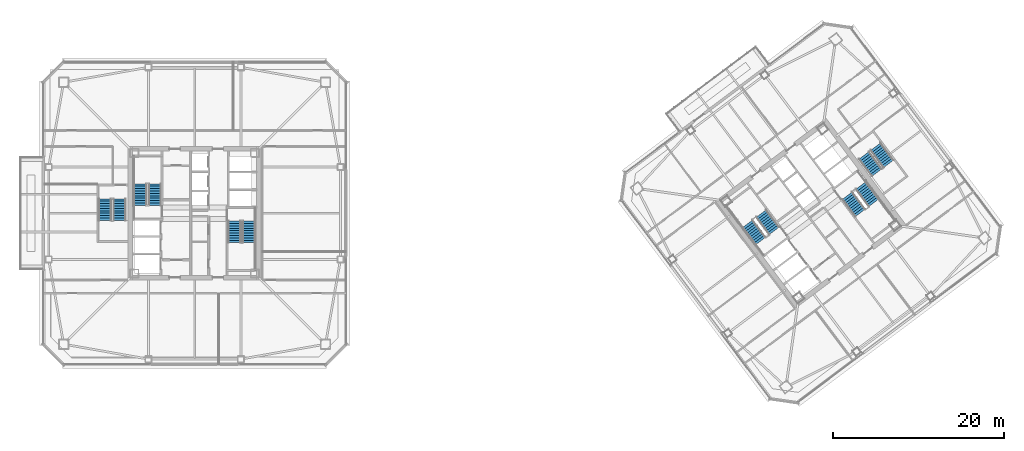
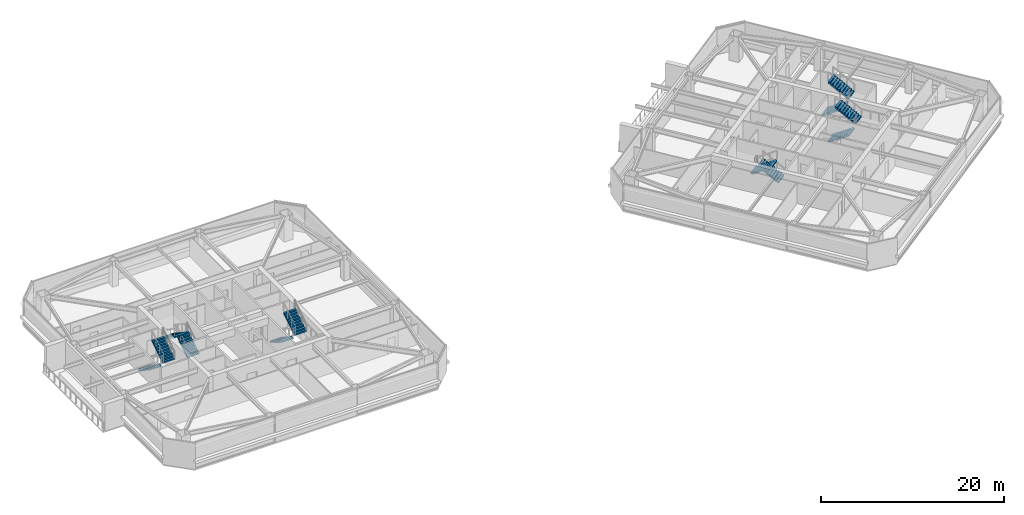
# One storey, part 35 of 41: 12 stair flights, 6 elements without a shape of their own.
"""IFC4 building model written with IfcOpenShell, lengths in metres."""

import ifcopenshell
import ifcopenshell.guid

model = None  # the IFC model being written
_history = None  # IfcOwnerHistory: only IFC2X3 demands one
_inside = {}  # id of a spatial element -> (the spatial element, [elements in it])
_under = {}  # id of a project, library or spatial element -> (it, [spatial elements below it])
_declared = {}  # id of a project -> (the project, [libraries it declares])
_typed = {}  # id of a type object -> (the type object, [elements of that type])
_made_of = {}  # id of a material, layer set ... -> (it, [elements and type objects made of it])


def new_model(schema):
    """Start an empty IFC model of exactly this schema.

    Asked for "IFC4X3", IfcOpenShell would pick the latest addendum, in which some entities
    have other attributes; the version numbers below select the first issue.
    IFC2X3 requires an IfcOwnerHistory on every rooted entity: one is made here for all.
    """
    global model, _history
    if schema == "IFC4X3":
        model = ifcopenshell.file(schema_version=(4, 3, 0, 0))
    else:
        model = ifcopenshell.file(schema=schema)
    _inside.clear()
    _under.clear()
    _declared.clear()
    _typed.clear()
    _made_of.clear()
    _history = None
    if model.schema == "IFC2X3":
        org = make("IfcOrganization", Name="unknown")
        user = make(
            "IfcPersonAndOrganization",
            ThePerson=make("IfcPerson", FamilyName="unknown"),
            TheOrganization=org,
        )
        app = make(
            "IfcApplication",
            ApplicationDeveloper=org,
            Version="unknown",
            ApplicationFullName="unknown",
            ApplicationIdentifier="unknown",
        )
        _history = make(
            "IfcOwnerHistory",
            OwningUser=user,
            OwningApplication=app,
            ChangeAction="ADDED",
            CreationDate=0,
        )
    return model


def make(cls, **values):
    """One entity of the class cls with the attributes given. An attribute that is None is left unset."""
    return model.create_entity(
        cls, **{name: value for name, value in values.items() if value is not None}
    )


def rooted(cls, **values):
    """An entity with a GlobalId (a new one), such as an element, a storey or a relation."""
    return make(cls, GlobalId=ifcopenshell.guid.new(), OwnerHistory=_history, **values)


def si_unit(unit_type, name, prefix=None):
    """IfcSIUnit, for example si_unit("LENGTHUNIT", "METRE", prefix="MILLI")."""
    return make("IfcSIUnit", UnitType=unit_type, Prefix=prefix, Name=name)


def assignment(units):
    """IfcUnitAssignment: the units of a project."""
    return None if units is None else make("IfcUnitAssignment", Units=units)


def point(xyz):
    """IfcCartesianPoint."""
    return None if xyz is None else make("IfcCartesianPoint", Coordinates=xyz)


def direction(xyz):
    """IfcDirection."""
    return None if xyz is None else make("IfcDirection", DirectionRatios=xyz)


def frame(location, z_axis=None, x_axis=None):
    """IfcAxis2Placement3D, a coordinate frame: its origin and axes. An axis left out is left unset."""
    return make(
        "IfcAxis2Placement3D",
        Location=point(location),
        Axis=direction(z_axis),
        RefDirection=direction(x_axis),
    )


def origin():
    """The frame at (0, 0, 0) with its axes left unset."""
    return frame((0.0, 0.0, 0.0))


def place(relative_to, where):
    """IfcLocalPlacement: puts the frame where relative to a parent placement (None: the world)."""
    return make(
        "IfcLocalPlacement", PlacementRelTo=relative_to, RelativePlacement=where
    )


def context(
    kind, dimensions, precision=None, world=None, true_north=None, identifier=None
):
    """IfcGeometricRepresentationContext, for example the 3D "Model" context."""
    return make(
        "IfcGeometricRepresentationContext",
        ContextIdentifier=identifier,
        ContextType=kind,
        CoordinateSpaceDimension=dimensions,
        Precision=precision,
        WorldCoordinateSystem=world,
        TrueNorth=true_north,
    )


def subcontext(parent, identifier, kind, view, scale=None):
    """IfcGeometricRepresentationSubContext, for example "Body" below "Model"."""
    return make(
        "IfcGeometricRepresentationSubContext",
        ContextIdentifier=identifier,
        ContextType=kind,
        ParentContext=parent,
        TargetScale=scale,
        TargetView=view,
    )


def project(units=None, contexts=None):
    """IfcProject with its units and contexts."""
    return rooted(
        "IfcProject",
        Name="project",
        RepresentationContexts=contexts,
        UnitsInContext=assignment(units),
    )


def spatial(cls, under=None, at=None, **own):
    """A site, building, storey or space (cls), placed at a placement, below another one or the project."""
    s = rooted(cls, ObjectPlacement=at, **own)
    if under is not None:
        _under.setdefault(under.id(), (under, []))[1].append(s)
    return s


def polyline(points):
    """IfcPolyline through the points."""
    return make("IfcPolyline", Points=[point(p) for p in points])


def outline(outer, holes=None, kind="AREA"):
    """IfcArbitraryClosedProfileDef: a profile drawn as a closed curve; with holes, ...WithVoids."""
    if holes is None:
        return make("IfcArbitraryClosedProfileDef", ProfileType=kind, OuterCurve=outer)
    return make(
        "IfcArbitraryProfileDefWithVoids",
        ProfileType=kind,
        OuterCurve=outer,
        InnerCurves=holes,
    )


def extrude(swept, where, along, depth):
    """IfcExtrudedAreaSolid: the profile swept, set in the frame where, extruded along a direction by depth."""
    return make(
        "IfcExtrudedAreaSolid",
        SweptArea=swept,
        Position=where,
        ExtrudedDirection=direction(along),
        Depth=depth,
    )


def shape(context_of_items, identifier, shape_type, items):
    """IfcShapeRepresentation: the items that make up one representation, for example the "Body"."""
    return make(
        "IfcShapeRepresentation",
        ContextOfItems=context_of_items,
        RepresentationIdentifier=identifier,
        RepresentationType=shape_type,
        Items=items,
    )


def material(Name=None, Category=None):
    """IfcMaterial."""
    return make("IfcMaterial", Name=Name, Category=Category)


def made_of(thing, what):
    """Note that an element or type object is made of a material, layer set ...; save() writes the relation."""
    if what is not None:
        _made_of.setdefault(what.id(), (what, []))[1].append(thing)
    return thing


def type_object(cls, material=None, **own):
    """A type object (cls), such as IfcWallType, which elements share."""
    return made_of(rooted(cls, **own), material)


def element(
    cls,
    number,
    at=None,
    inside=None,
    cuts=None,
    type_object=None,
    material=None,
    context=None,
    identifier="Body",
    shape_type=None,
    held_by="IfcProductDefinitionShape",
    body=None,
    shapes=None,
    **own,
):
    """One element of the class cls, such as IfcWall. Its Tag is "e" and its number.

    at: its placement. inside: the storey or other place that contains it. cuts: it is an
    opening in that element (IfcRelVoidsElement). A single representation is given by context,
    identifier, shape_type and body (its items); several are given by shapes. held_by: the class
    of the entity that holds the representations. save() writes the other relations.
    """
    e = rooted(cls, Tag="e%d" % number, ObjectPlacement=at, **own)
    if body is not None:
        shapes = [shape(context, identifier, shape_type, body)]
    if shapes is not None:
        e.Representation = make(held_by, Representations=shapes)
    if inside is not None:
        _inside.setdefault(inside.id(), (inside, []))[1].append(e)
    if cuts is not None:
        rooted(
            "IfcRelVoidsElement", RelatingBuildingElement=cuts, RelatedOpeningElement=e
        )
    if type_object is not None:
        _typed.setdefault(type_object.id(), (type_object, []))[1].append(e)
    return made_of(e, material)


def aggregate(whole, parts):
    """IfcRelAggregates: a whole, such as a stair, and the parts it consists of."""
    return rooted("IfcRelAggregates", RelatingObject=whole, RelatedObjects=parts)


def save(model, path):
    """Write the relations noted so far, then the file.

    IfcRelAggregates (storeys below a building ...), IfcRelContainedInSpatialStructure (elements
    in a storey), IfcRelDefinesByType, IfcRelAssociatesMaterial and IfcRelDeclares: one each for
    every whole, place, type object, material and project.
    """
    for whole, parts in _under.values():
        aggregate(whole, parts)
    for where, things in _inside.values():
        rooted(
            "IfcRelContainedInSpatialStructure",
            RelatedElements=things,
            RelatingStructure=where,
        )
    for kind, things in _typed.values():
        rooted("IfcRelDefinesByType", RelatedObjects=things, RelatingType=kind)
    for what, things in _made_of.values():
        rooted("IfcRelAssociatesMaterial", RelatedObjects=things, RelatingMaterial=what)
    for by, libraries in _declared.values():
        rooted("IfcRelDeclares", RelatingContext=by, RelatedDefinitions=libraries)
    model.write(path)


model = new_model("IFC4")

# Units and contexts
model_context = context("Model", 3, precision=1e-05, world=origin(), true_north=direction((0.0, 1.0)))
body_context = subcontext(model_context, "Body", "Model", "MODEL_VIEW")
ifc_project = project(units=[si_unit("LENGTHUNIT", "METRE"), si_unit("AREAUNIT", "SQUARE_METRE"), si_unit("VOLUMEUNIT", "CUBIC_METRE"), si_unit("PLANEANGLEUNIT", "RADIAN"), si_unit("MASSUNIT", "GRAM", prefix="KILO")], contexts=[model_context])

# Site, building, storey
site_placement = place(None, origin())
site = spatial("IfcSite", under=ifc_project, at=site_placement, CompositionType="ELEMENT")
building_placement = place(site_placement, origin())
building = spatial("IfcBuilding", under=site, at=building_placement, Name="Tashvorn Skyway Center", CompositionType="ELEMENT")
storey_placement = place(building_placement, frame((0.0, 0.0, 192.5)))
storey = spatial("IfcBuildingStorey", under=building, at=storey_placement, Name="L52", CompositionType="ELEMENT", Elevation=192.5)

# Stair, stair flights
ifc_material = material(Name="Concrete C40/50", Category="concrete")
stair_type = type_object("IfcStairType", Name="STAIR-CORE-1500", PredefinedType="HALF_TURN_STAIR", material=ifc_material)
stair_1_placement = place(storey_placement, origin())
stair_1 = element("IfcStair", 1, at=stair_1_placement, inside=storey, type_object=stair_type, Name="L52 Tower 1 Exit Stair 1", PredefinedType="HALF_TURN_STAIR")
stair_flight_type = type_object("IfcStairFlightType", Name="SFLIGHT-1500", PredefinedType="STRAIGHT", material=ifc_material)
stair_flight_1_placement = place(storey_placement, frame((37.35009765625, 32.919921875, 0.0), z_axis=(0.0, 0.0, 1.0), x_axis=(0.0, 1.0, 0.0)))
stair_flight_1 = element("IfcStairFlight", 2, at=stair_flight_1_placement, type_object=stair_flight_type, Name="ST-T1-1 flight 1", NumberOfRisers=10, NumberOfTreads=9, PredefinedType="STRAIGHT", RiserHeight=0.1775, TreadLength=0.28, context=body_context, shape_type="SweptSolid", body=[
    extrude(outline(polyline([(0.0, 0.0), (0.0, 0.177490234375), (0.280029296875, 0.177490234375), (0.280029296875, 0.35498046875), (0.56005859375, 0.35498046875), (0.56005859375, 0.532470703125), (0.840087890625, 0.532470703125), (0.840087890625, 0.7099609375), (1.1201171875, 0.7099609375), (1.1201171875, 0.887451171875), (1.39990234375, 0.887451171875), (1.39990234375, 1.06494140625), (1.679931640625, 1.06494140625), (1.679931640625, 1.242431640625), (1.9599609375, 1.242431640625), (1.9599609375, 1.419921875), (2.239990234375, 1.419921875), (2.239990234375, 1.597412109375), (2.52001953125, 1.597412109375), (2.52001953125, 1.77490234375), (2.52001953125, 1.419921875), (0.280029296875, 0.0), (0.0, 0.0)])), frame((0.0, 0.75, 0.0), z_axis=(0.0, -1.0, 0.0), x_axis=(1.0, 0.0, 0.0)), (0.0, 0.0, 1.0), 1.5),
])
stair_flight_2_placement = place(storey_placement, frame((35.64990234375, 35.43994140625, 1.77490234375), z_axis=(0.0, 0.0, 1.0), x_axis=(0.0, -1.0, 0.0)))
stair_flight_2 = element("IfcStairFlight", 3, at=stair_flight_2_placement, type_object=stair_flight_type, Name="ST-T1-1 flight 2", NumberOfRisers=10, NumberOfTreads=9, PredefinedType="STRAIGHT", RiserHeight=0.1775, TreadLength=0.28, context=body_context, shape_type="SweptSolid", body=[
    extrude(outline(polyline([(0.0, 0.0), (0.0, 0.177490234375), (0.280029296875, 0.177490234375), (0.280029296875, 0.35498046875), (0.56005859375, 0.35498046875), (0.56005859375, 0.532470703125), (0.840087890625, 0.532470703125), (0.840087890625, 0.7099609375), (1.1201171875, 0.7099609375), (1.1201171875, 0.887451171875), (1.39990234375, 0.887451171875), (1.39990234375, 1.06494140625), (1.679931640625, 1.06494140625), (1.679931640625, 1.242431640625), (1.9599609375, 1.242431640625), (1.9599609375, 1.419921875), (2.239990234375, 1.419921875), (2.239990234375, 1.597412109375), (2.52001953125, 1.597412109375), (2.52001953125, 1.77490234375), (2.52001953125, 1.419921875), (0.280029296875, 0.0), (0.0, 0.0)])), frame((0.0, 0.75, 0.0), z_axis=(0.0, -1.0, 0.0), x_axis=(1.0, 0.0, 0.0)), (0.0, 0.0, 1.0), 1.5),
])
aggregate(stair_1, [stair_flight_1, stair_flight_2])

stair_2_placement = place(storey_placement, origin())
stair_2 = element("IfcStair", 4, at=stair_2_placement, inside=storey, type_object=stair_type, Name="L52 Tower 1 Exit Stair 2", PredefinedType="HALF_TURN_STAIR")
stair_flight_3_placement = place(storey_placement, frame((46.64990234375, 31.080078125, 0.0), z_axis=(0.0, 0.0, 1.0), x_axis=(0.0, -1.0, 0.0)))
stair_flight_3 = element("IfcStairFlight", 5, at=stair_flight_3_placement, type_object=stair_flight_type, Name="ST-T1-2 flight 1", NumberOfRisers=10, NumberOfTreads=9, PredefinedType="STRAIGHT", RiserHeight=0.1775, TreadLength=0.28, context=body_context, shape_type="SweptSolid", body=[
    extrude(outline(polyline([(0.0, 0.0), (0.0, 0.177490234375), (0.280029296875, 0.177490234375), (0.280029296875, 0.35498046875), (0.56005859375, 0.35498046875), (0.56005859375, 0.532470703125), (0.840087890625, 0.532470703125), (0.840087890625, 0.7099609375), (1.1201171875, 0.7099609375), (1.1201171875, 0.887451171875), (1.39990234375, 0.887451171875), (1.39990234375, 1.06494140625), (1.679931640625, 1.06494140625), (1.679931640625, 1.242431640625), (1.9599609375, 1.242431640625), (1.9599609375, 1.419921875), (2.239990234375, 1.419921875), (2.239990234375, 1.597412109375), (2.52001953125, 1.597412109375), (2.52001953125, 1.77490234375), (2.52001953125, 1.419921875), (0.280029296875, 0.0), (0.0, 0.0)])), frame((0.0, 0.75, 0.0), z_axis=(0.0, -1.0, 0.0), x_axis=(1.0, 0.0, 0.0)), (0.0, 0.0, 1.0), 1.5),
])
stair_flight_4_placement = place(storey_placement, frame((48.35009765625, 28.56005859375, 1.77490234375), z_axis=(0.0, 0.0, 1.0), x_axis=(0.0, 1.0, 0.0)))
stair_flight_4 = element("IfcStairFlight", 6, at=stair_flight_4_placement, type_object=stair_flight_type, Name="ST-T1-2 flight 2", NumberOfRisers=10, NumberOfTreads=9, PredefinedType="STRAIGHT", RiserHeight=0.1775, TreadLength=0.28, context=body_context, shape_type="SweptSolid", body=[
    extrude(outline(polyline([(0.0, 0.0), (0.0, 0.177490234375), (0.280029296875, 0.177490234375), (0.280029296875, 0.35498046875), (0.56005859375, 0.35498046875), (0.56005859375, 0.532470703125), (0.840087890625, 0.532470703125), (0.840087890625, 0.7099609375), (1.1201171875, 0.7099609375), (1.1201171875, 0.887451171875), (1.39990234375, 0.887451171875), (1.39990234375, 1.06494140625), (1.679931640625, 1.06494140625), (1.679931640625, 1.242431640625), (1.9599609375, 1.242431640625), (1.9599609375, 1.419921875), (2.239990234375, 1.419921875), (2.239990234375, 1.597412109375), (2.52001953125, 1.597412109375), (2.52001953125, 1.77490234375), (2.52001953125, 1.419921875), (0.280029296875, 0.0), (0.0, 0.0)])), frame((0.0, 0.75, 0.0), z_axis=(0.0, -1.0, 0.0), x_axis=(1.0, 0.0, 0.0)), (0.0, 0.0, 1.0), 1.5),
])
aggregate(stair_2, [stair_flight_3, stair_flight_4])

stair_3_placement = place(storey_placement, origin())
stair_3 = element("IfcStair", 7, at=stair_3_placement, inside=storey, type_object=stair_type, Name="L52 Tower 2 Exit Stair 1", PredefinedType="HALF_TURN_STAIR")
stair_flight_5_placement = place(storey_placement, frame((109.72802734375, 29.946044921875, 0.0), z_axis=(0.0, 0.0, 1.0), x_axis=(-0.600000004945, 0.799999996291, 0.0)))
stair_flight_5 = element("IfcStairFlight", 8, at=stair_flight_5_placement, type_object=stair_flight_type, Name="ST-T2-1 flight 1", NumberOfRisers=10, NumberOfTreads=9, PredefinedType="STRAIGHT", RiserHeight=0.1775, TreadLength=0.28, context=body_context, shape_type="SweptSolid", body=[
    extrude(outline(polyline([(0.0, 0.0), (0.0, 0.177490234375), (0.280029296875, 0.177490234375), (0.280029296875, 0.35498046875), (0.56005859375, 0.35498046875), (0.56005859375, 0.532470703125), (0.840087890625, 0.532470703125), (0.840087890625, 0.7099609375), (1.1201171875, 0.7099609375), (1.1201171875, 0.887451171875), (1.39990234375, 0.887451171875), (1.39990234375, 1.06494140625), (1.679931640625, 1.06494140625), (1.679931640625, 1.242431640625), (1.9599609375, 1.242431640625), (1.9599609375, 1.419921875), (2.239990234375, 1.419921875), (2.239990234375, 1.597412109375), (2.52001953125, 1.597412109375), (2.52001953125, 1.77490234375), (2.52001953125, 1.419921875), (0.280029296875, 0.0), (0.0, 0.0)])), frame((0.0, 0.75, 0.0), z_axis=(0.0, -1.0, 0.0), x_axis=(1.0, 0.0, 0.0)), (0.0, 0.0, 1.0), 1.5),
])
stair_flight_6_placement = place(storey_placement, frame((106.632080078125, 30.77392578125, 1.77490234375), z_axis=(0.0, 0.0, 1.0), x_axis=(0.600000004945, -0.799999996291, 0.0)))
stair_flight_6 = element("IfcStairFlight", 9, at=stair_flight_6_placement, type_object=stair_flight_type, Name="ST-T2-1 flight 2", NumberOfRisers=10, NumberOfTreads=9, PredefinedType="STRAIGHT", RiserHeight=0.1775, TreadLength=0.28, context=body_context, shape_type="SweptSolid", body=[
    extrude(outline(polyline([(0.0, 0.0), (0.0, 0.177490234375), (0.280029296875, 0.177490234375), (0.280029296875, 0.35498046875), (0.56005859375, 0.35498046875), (0.56005859375, 0.532470703125), (0.840087890625, 0.532470703125), (0.840087890625, 0.7099609375), (1.1201171875, 0.7099609375), (1.1201171875, 0.887451171875), (1.39990234375, 0.887451171875), (1.39990234375, 1.06494140625), (1.679931640625, 1.06494140625), (1.679931640625, 1.242431640625), (1.9599609375, 1.242431640625), (1.9599609375, 1.419921875), (2.239990234375, 1.419921875), (2.239990234375, 1.597412109375), (2.52001953125, 1.597412109375), (2.52001953125, 1.77490234375), (2.52001953125, 1.419921875), (0.280029296875, 0.0), (0.0, 0.0)])), frame((0.0, 0.75, 0.0), z_axis=(0.0, -1.0, 0.0), x_axis=(1.0, 0.0, 0.0)), (0.0, 0.0, 1.0), 1.5),
])
aggregate(stair_3, [stair_flight_5, stair_flight_6])

stair_4_placement = place(storey_placement, origin())
stair_4 = element("IfcStair", 10, at=stair_4_placement, inside=storey, type_object=stair_type, Name="L52 Tower 2 Exit Stair 2", PredefinedType="HALF_TURN_STAIR")
stair_flight_7_placement = place(storey_placement, frame((118.27197265625, 34.053955078125, 0.0), z_axis=(0.0, 0.0, 1.0), x_axis=(0.600000004945, -0.799999996291, 0.0)))
stair_flight_7 = element("IfcStairFlight", 11, at=stair_flight_7_placement, type_object=stair_flight_type, Name="ST-T2-2 flight 1", NumberOfRisers=10, NumberOfTreads=9, PredefinedType="STRAIGHT", RiserHeight=0.1775, TreadLength=0.28, context=body_context, shape_type="SweptSolid", body=[
    extrude(outline(polyline([(0.0, 0.0), (0.0, 0.177490234375), (0.280029296875, 0.177490234375), (0.280029296875, 0.35498046875), (0.56005859375, 0.35498046875), (0.56005859375, 0.532470703125), (0.840087890625, 0.532470703125), (0.840087890625, 0.7099609375), (1.1201171875, 0.7099609375), (1.1201171875, 0.887451171875), (1.39990234375, 0.887451171875), (1.39990234375, 1.06494140625), (1.679931640625, 1.06494140625), (1.679931640625, 1.242431640625), (1.9599609375, 1.242431640625), (1.9599609375, 1.419921875), (2.239990234375, 1.419921875), (2.239990234375, 1.597412109375), (2.52001953125, 1.597412109375), (2.52001953125, 1.77490234375), (2.52001953125, 1.419921875), (0.280029296875, 0.0), (0.0, 0.0)])), frame((0.0, 0.75, 0.0), z_axis=(0.0, -1.0, 0.0), x_axis=(1.0, 0.0, 0.0)), (0.0, 0.0, 1.0), 1.5),
])
stair_flight_8_placement = place(storey_placement, frame((121.367919921875, 33.22607421875, 1.77490234375), z_axis=(0.0, 0.0, 1.0), x_axis=(-0.600000004945, 0.799999996291, 0.0)))
stair_flight_8 = element("IfcStairFlight", 12, at=stair_flight_8_placement, type_object=stair_flight_type, Name="ST-T2-2 flight 2", NumberOfRisers=10, NumberOfTreads=9, PredefinedType="STRAIGHT", RiserHeight=0.1775, TreadLength=0.28, context=body_context, shape_type="SweptSolid", body=[
    extrude(outline(polyline([(0.0, 0.0), (0.0, 0.177490234375), (0.280029296875, 0.177490234375), (0.280029296875, 0.35498046875), (0.56005859375, 0.35498046875), (0.56005859375, 0.532470703125), (0.840087890625, 0.532470703125), (0.840087890625, 0.7099609375), (1.1201171875, 0.7099609375), (1.1201171875, 0.887451171875), (1.39990234375, 0.887451171875), (1.39990234375, 1.06494140625), (1.679931640625, 1.06494140625), (1.679931640625, 1.242431640625), (1.9599609375, 1.242431640625), (1.9599609375, 1.419921875), (2.239990234375, 1.419921875), (2.239990234375, 1.597412109375), (2.52001953125, 1.597412109375), (2.52001953125, 1.77490234375), (2.52001953125, 1.419921875), (0.280029296875, 0.0), (0.0, 0.0)])), frame((0.0, 0.75, 0.0), z_axis=(0.0, -1.0, 0.0), x_axis=(1.0, 0.0, 0.0)), (0.0, 0.0, 1.0), 1.5),
])
aggregate(stair_4, [stair_flight_7, stair_flight_8])

stair_5_placement = place(storey_placement, origin())
stair_5 = element("IfcStair", 13, at=stair_5_placement, inside=storey, type_object=stair_type, Name="L52 Tower 1 Exit Stair 3", PredefinedType="HALF_TURN_STAIR")
stair_flight_9_placement = place(storey_placement, frame((31.550048828125, 33.679931640625, 0.0), z_axis=(0.0, 0.0, 1.0), x_axis=(0.0, -1.0, 0.0)))
stair_flight_9 = element("IfcStairFlight", 14, at=stair_flight_9_placement, type_object=stair_flight_type, Name="ST-T1-3 flight 1", NumberOfRisers=10, NumberOfTreads=9, PredefinedType="STRAIGHT", RiserHeight=0.1775, TreadLength=0.28, context=body_context, shape_type="SweptSolid", body=[
    extrude(outline(polyline([(0.0, 0.0), (0.0, 0.177490234375), (0.280029296875, 0.177490234375), (0.280029296875, 0.35498046875), (0.56005859375, 0.35498046875), (0.56005859375, 0.532470703125), (0.840087890625, 0.532470703125), (0.840087890625, 0.7099609375), (1.1201171875, 0.7099609375), (1.1201171875, 0.887451171875), (1.39990234375, 0.887451171875), (1.39990234375, 1.06494140625), (1.679931640625, 1.06494140625), (1.679931640625, 1.242431640625), (1.9599609375, 1.242431640625), (1.9599609375, 1.419921875), (2.239990234375, 1.419921875), (2.239990234375, 1.597412109375), (2.52001953125, 1.597412109375), (2.52001953125, 1.77490234375), (2.52001953125, 1.419921875), (0.280029296875, 0.0), (0.0, 0.0)])), frame((0.0, 0.75, 0.0), z_axis=(0.0, -1.0, 0.0), x_axis=(1.0, 0.0, 0.0)), (0.0, 0.0, 1.0), 1.5),
])
stair_flight_10_placement = place(storey_placement, frame((33.25, 31.159912109375, 1.77490234375), z_axis=(0.0, 0.0, 1.0), x_axis=(0.0, 1.0, 0.0)))
stair_flight_10 = element("IfcStairFlight", 15, at=stair_flight_10_placement, type_object=stair_flight_type, Name="ST-T1-3 flight 2", NumberOfRisers=10, NumberOfTreads=9, PredefinedType="STRAIGHT", RiserHeight=0.1775, TreadLength=0.28, context=body_context, shape_type="SweptSolid", body=[
    extrude(outline(polyline([(0.0, 0.0), (0.0, 0.177490234375), (0.280029296875, 0.177490234375), (0.280029296875, 0.35498046875), (0.56005859375, 0.35498046875), (0.56005859375, 0.532470703125), (0.840087890625, 0.532470703125), (0.840087890625, 0.7099609375), (1.1201171875, 0.7099609375), (1.1201171875, 0.887451171875), (1.39990234375, 0.887451171875), (1.39990234375, 1.06494140625), (1.679931640625, 1.06494140625), (1.679931640625, 1.242431640625), (1.9599609375, 1.242431640625), (1.9599609375, 1.419921875), (2.239990234375, 1.419921875), (2.239990234375, 1.597412109375), (2.52001953125, 1.597412109375), (2.52001953125, 1.77490234375), (2.52001953125, 1.419921875), (0.280029296875, 0.0), (0.0, 0.0)])), frame((0.0, 0.75, 0.0), z_axis=(0.0, -1.0, 0.0), x_axis=(1.0, 0.0, 0.0)), (0.0, 0.0, 1.0), 1.5),
])
aggregate(stair_5, [stair_flight_9, stair_flight_10])

stair_6_placement = place(storey_placement, origin())
stair_6 = element("IfcStair", 16, at=stair_6_placement, inside=storey, type_object=stair_type, Name="L52 Tower 2 Exit Stair 3", PredefinedType="HALF_TURN_STAIR")
stair_flight_11_placement = place(storey_placement, frame((120.216064453125, 38.761962890625, 0.0), z_axis=(0.0, 0.0, 1.0), x_axis=(0.600000004945, -0.799999996291, 0.0)))
stair_flight_11 = element("IfcStairFlight", 17, at=stair_flight_11_placement, type_object=stair_flight_type, Name="ST-T2-3 flight 1", NumberOfRisers=10, NumberOfTreads=9, PredefinedType="STRAIGHT", RiserHeight=0.1775, TreadLength=0.28, context=body_context, shape_type="SweptSolid", body=[
    extrude(outline(polyline([(0.0, 0.0), (0.0, 0.177490234375), (0.280029296875, 0.177490234375), (0.280029296875, 0.35498046875), (0.56005859375, 0.35498046875), (0.56005859375, 0.532470703125), (0.840087890625, 0.532470703125), (0.840087890625, 0.7099609375), (1.1201171875, 0.7099609375), (1.1201171875, 0.887451171875), (1.39990234375, 0.887451171875), (1.39990234375, 1.06494140625), (1.679931640625, 1.06494140625), (1.679931640625, 1.242431640625), (1.9599609375, 1.242431640625), (1.9599609375, 1.419921875), (2.239990234375, 1.419921875), (2.239990234375, 1.597412109375), (2.52001953125, 1.597412109375), (2.52001953125, 1.77490234375), (2.52001953125, 1.419921875), (0.280029296875, 0.0), (0.0, 0.0)])), frame((0.0, 0.75, 0.0), z_axis=(0.0, -1.0, 0.0), x_axis=(1.0, 0.0, 0.0)), (0.0, 0.0, 1.0), 1.5),
])
stair_flight_12_placement = place(storey_placement, frame((123.087890625, 37.76611328125, 1.77490234375), z_axis=(0.0, 0.0, 1.0), x_axis=(-0.600000004945, 0.799999996291, 0.0)))
stair_flight_12 = element("IfcStairFlight", 18, at=stair_flight_12_placement, type_object=stair_flight_type, Name="ST-T2-3 flight 2", NumberOfRisers=10, NumberOfTreads=9, PredefinedType="STRAIGHT", RiserHeight=0.1775, TreadLength=0.28, context=body_context, shape_type="SweptSolid", body=[
    extrude(outline(polyline([(0.0, 0.0), (0.0, 0.177490234375), (0.280029296875, 0.177490234375), (0.280029296875, 0.35498046875), (0.56005859375, 0.35498046875), (0.56005859375, 0.532470703125), (0.840087890625, 0.532470703125), (0.840087890625, 0.7099609375), (1.1201171875, 0.7099609375), (1.1201171875, 0.887451171875), (1.39990234375, 0.887451171875), (1.39990234375, 1.06494140625), (1.679931640625, 1.06494140625), (1.679931640625, 1.242431640625), (1.9599609375, 1.242431640625), (1.9599609375, 1.419921875), (2.239990234375, 1.419921875), (2.239990234375, 1.597412109375), (2.52001953125, 1.597412109375), (2.52001953125, 1.77490234375), (2.52001953125, 1.419921875), (0.280029296875, 0.0), (0.0, 0.0)])), frame((0.0, 0.75, 0.0), z_axis=(0.0, -1.0, 0.0), x_axis=(1.0, 0.0, 0.0)), (0.0, 0.0, 1.0), 1.5),
])
aggregate(stair_6, [stair_flight_11, stair_flight_12])

save(model, "model.ifc")
